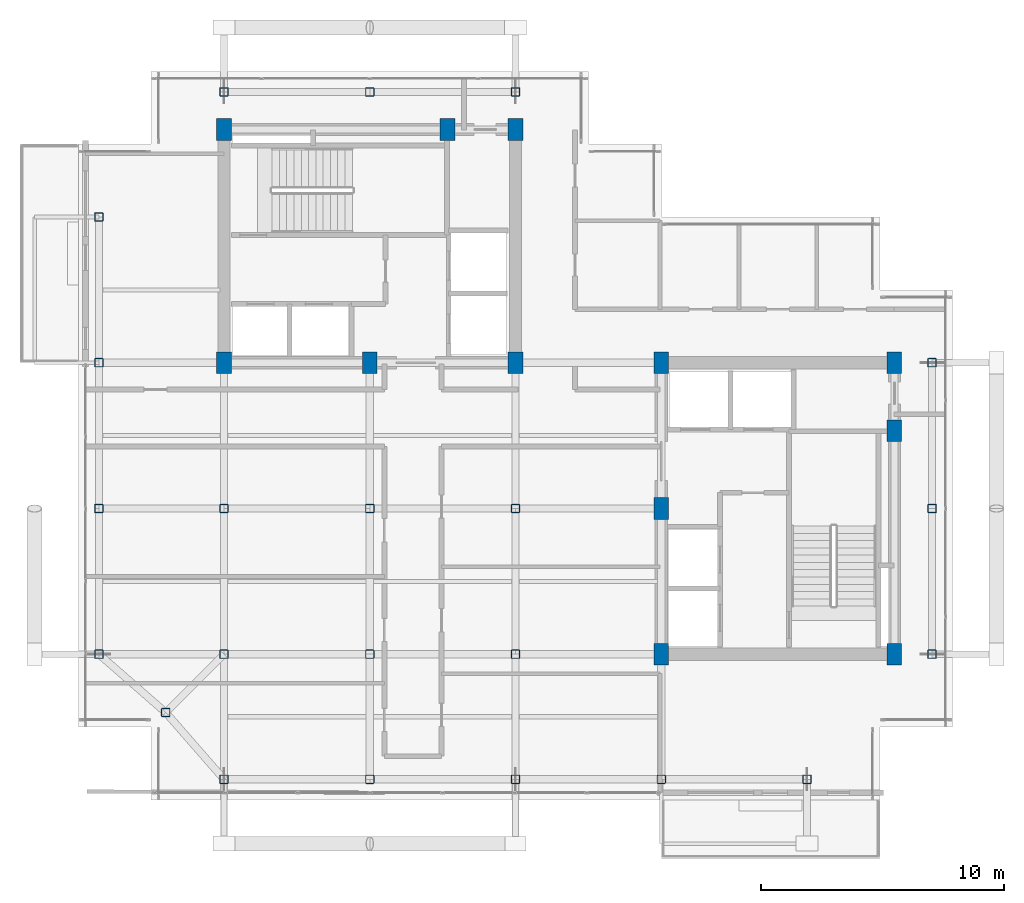
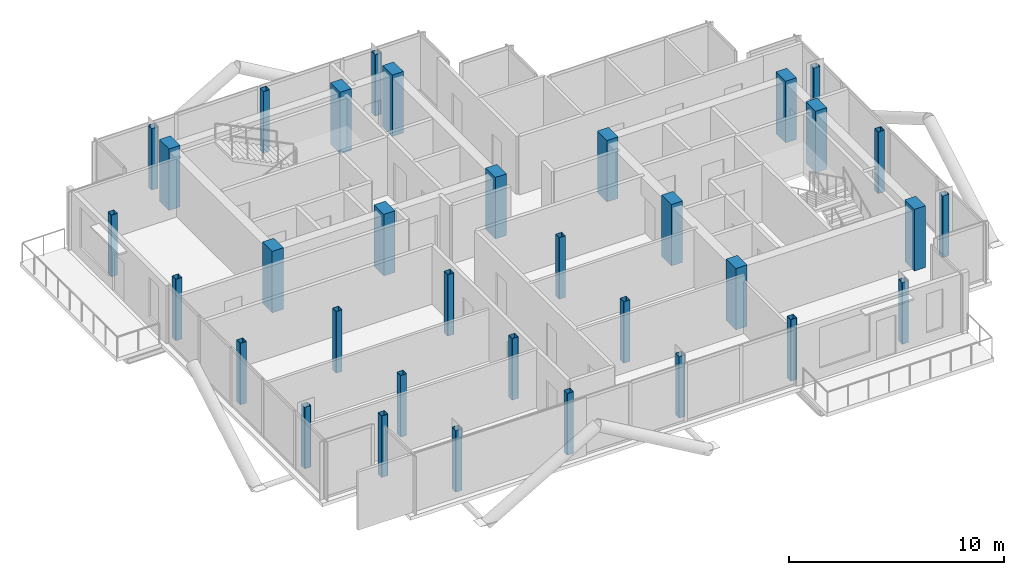
# One storey, part 1 of 19: 34 columns.
"""IFC4 building model written with IfcOpenShell, lengths in metres."""

from ifc_helpers import new_model, si_unit, direction, frame, origin, origin_2d, place, context, subcontext, project, spatial, rectangle, hollow_rectangle, extrude, material, material_profile, profile_set, type_object, element, save


model = new_model("IFC4")

# Units and contexts
model_context = context("Model", 3, precision=1e-05, world=origin(), true_north=direction((0.0, 1.0)))
body_context = subcontext(model_context, "Body", "Model", "MODEL_VIEW")
ifc_project = project(units=[si_unit("LENGTHUNIT", "METRE"), si_unit("AREAUNIT", "SQUARE_METRE"), si_unit("VOLUMEUNIT", "CUBIC_METRE"), si_unit("PLANEANGLEUNIT", "RADIAN"), si_unit("MASSUNIT", "GRAM", prefix="KILO"), si_unit("THERMODYNAMICTEMPERATUREUNIT", "KELVIN"), si_unit("POWERUNIT", "WATT")], contexts=[model_context])

# Site, building, storey
site_placement = place(None, origin())
site = spatial("IfcSite", under=ifc_project, at=site_placement, CompositionType="ELEMENT")
building_placement = place(site_placement, origin())
building = spatial("IfcBuilding", under=site, at=building_placement, Name="Svarakhadi Broadcast Tower", CompositionType="ELEMENT")
storey_placement = place(building_placement, frame((0.0, 0.0, 271.199951171875)))
storey = spatial("IfcBuildingStorey", under=building, at=storey_placement, Name="L68", CompositionType="ELEMENT", Elevation=271.199951171875)

# Columns
ifc_material_1 = material(Name="Concrete C50/60 (IS 456 M60)", Category="concrete")
ifc_material_profile_1 = material_profile(ifc_material_1, rectangle(XDim=0.60009765625, YDim=0.89990234375, at=origin_2d()), Name="RC 600x900")
ifc_profile_set_1 = profile_set([ifc_material_profile_1], Name="Concrete C50/60 (IS 456 M60)")
column_type_1 = type_object("IfcColumnType", Name="Col_RC600", PredefinedType="COLUMN", material=ifc_profile_set_1)
for number, where, z_axis, x_axis, name in (
    (1, (6.0, 18.0, 0.0), (0.0, 0.0, 1.0), (1.0, 0.0, 0.0), "L68 Column CW1"),
    (2, (12.0, 18.0, 0.0), (0.0, 0.0, 1.0), (1.0, 0.0, 0.0), "L68 Column CW2"),
    (3, (18.0, 18.0, 0.0), (0.0, 0.0, 1.0), (1.0, 0.0, 0.0), "L68 Column CW3"),
    (4, (6.0, 27.60009765625, 0.0), (0.0, 0.0, 1.0), (1.0, 0.0, 0.0), "L68 Column CW4"),
    (5, (15.199951171875, 27.60009765625, 0.0), (0.0, 0.0, 1.0), (1.0, 0.0, 0.0), "L68 Column CW5"),
    (6, (18.0, 27.60009765625, 0.0), (0.0, 0.0, 1.0), (1.0, 0.0, 0.0), "L68 Column CW6"),
    (7, (24.0, 6.0, 0.0), (0.0, 0.0, 1.0), (1.0, 0.0, 0.0), "L68 Column CE1"),
    (8, (24.0, 12.0, 0.0), (0.0, 0.0, 1.0), (1.0, 0.0, 0.0), "L68 Column CE2"),
    (9, (24.0, 18.0, 0.0), (0.0, 0.0, 1.0), (1.0, 0.0, 0.0), "L68 Column CE3"),
    (10, (33.60009765625, 6.0, 0.0), (0.0, 0.0, 1.0), (1.0, 0.0, 0.0), "L68 Column CE4"),
    (11, (33.60009765625, 15.199951171875, 0.0), (0.0, 0.0, 1.0), (1.0, 0.0, 0.0), "L68 Column CE5"),
    (12, (33.60009765625, 18.0, 0.0), (0.0, 0.0, 1.0), (1.0, 0.0, 0.0), "L68 Column CE6"),
):
    element("IfcColumn", number, at=place(storey_placement, frame(where, z_axis=z_axis, x_axis=x_axis)), inside=storey, type_object=column_type_1, Name=name, PredefinedType="COLUMN", context=body_context, shape_type="SweptSolid", body=[
        extrude(rectangle(XDim=0.60009765625, YDim=0.89990234375, at=origin_2d()), origin(), (0.0, 0.0, 1.0), 3.5),
    ])
ifc_material_2 = material(Name="Steel S460ML (IS 2062 E450BR)", Category="steel")
ifc_material_profile_2 = material_profile(ifc_material_2, hollow_rectangle(XDim=0.35009765625, YDim=0.35009765625, WallThickness=0.01611328125, InnerFilletRadius=0.01611328125, OuterFilletRadius=0.031982421875, at=origin_2d()), Name="SHS 350x350x16")
ifc_profile_set_2 = profile_set([ifc_material_profile_2], Name="Steel S460ML (IS 2062 E450BR)")
column_type_2 = type_object("IfcColumnType", Name="Col_SHS350", PredefinedType="COLUMN", material=ifc_profile_set_2)
for number, where, z_axis, x_axis, name in (
    (13, (3.60009765625, 3.60009765625, 0.0), (0.0, 0.0, 1.0), (1.0, 0.0, 0.0), "L68 Column G01"),
    (14, (0.85009765625, 6.0, 0.0), (0.0, 0.0, 1.0), (1.0, 0.0, 0.0), "L68 Column G03"),
    (15, (0.85009765625, 12.0, 0.0), (0.0, 0.0, 1.0), (1.0, 0.0, 0.0), "L68 Column G04"),
    (16, (0.85009765625, 18.0, 0.0), (0.0, 0.0, 1.0), (1.0, 0.0, 0.0), "L68 Column G05"),
    (17, (0.85009765625, 24.0, 0.0), (0.0, 0.0, 1.0), (1.0, 0.0, 0.0), "L68 Column G06"),
    (18, (6.0, 0.85009765625, 0.0), (0.0, 0.0, 1.0), (1.0, 0.0, 0.0), "L68 Column G11"),
    (19, (6.0, 6.0, 0.0), (0.0, 0.0, 1.0), (1.0, 0.0, 0.0), "L68 Column G12"),
    (20, (6.0, 12.0, 0.0), (0.0, 0.0, 1.0), (1.0, 0.0, 0.0), "L68 Column G13"),
    (21, (6.0, 29.14990234375, 0.0), (0.0, 0.0, 1.0), (1.0, 0.0, 0.0), "L68 Column G14"),
    (22, (12.0, 0.85009765625, 0.0), (0.0, 0.0, 1.0), (1.0, 0.0, 0.0), "L68 Column G18"),
    (23, (12.0, 6.0, 0.0), (0.0, 0.0, 1.0), (1.0, 0.0, 0.0), "L68 Column G19"),
    (24, (12.0, 12.0, 0.0), (0.0, 0.0, 1.0), (1.0, 0.0, 0.0), "L68 Column G20"),
    (25, (12.0, 29.14990234375, 0.0), (0.0, 0.0, 1.0), (1.0, 0.0, 0.0), "L68 Column G21"),
    (26, (18.0, 0.85009765625, 0.0), (0.0, 0.0, 1.0), (1.0, 0.0, 0.0), "L68 Column G25"),
    (27, (18.0, 6.0, 0.0), (0.0, 0.0, 1.0), (1.0, 0.0, 0.0), "L68 Column G26"),
    (28, (18.0, 12.0, 0.0), (0.0, 0.0, 1.0), (1.0, 0.0, 0.0), "L68 Column G27"),
    (29, (18.0, 29.14990234375, 0.0), (0.0, 0.0, 1.0), (1.0, 0.0, 0.0), "L68 Column G28"),
    (30, (24.0, 0.85009765625, 0.0), (0.0, 0.0, 1.0), (1.0, 0.0, 0.0), "L68 Column G32"),
    (31, (30.0, 0.85009765625, 0.0), (0.0, 0.0, 1.0), (1.0, 0.0, 0.0), "L68 Column G36"),
    (32, (35.14990234375, 6.0, 0.0), (0.0, 0.0, 1.0), (1.0, 0.0, 0.0), "L68 Column G39"),
    (33, (35.14990234375, 12.0, 0.0), (0.0, 0.0, 1.0), (1.0, 0.0, 0.0), "L68 Column G40"),
    (34, (35.14990234375, 18.0, 0.0), (0.0, 0.0, 1.0), (1.0, 0.0, 0.0), "L68 Column G41"),
):
    element("IfcColumn", number, at=place(storey_placement, frame(where, z_axis=z_axis, x_axis=x_axis)), inside=storey, type_object=column_type_2, Name=name, PredefinedType="COLUMN", context=body_context, shape_type="SweptSolid", body=[
        extrude(hollow_rectangle(XDim=0.35009765625, YDim=0.35009765625, WallThickness=0.01611328125, InnerFilletRadius=0.01611328125, OuterFilletRadius=0.031982421875, at=origin_2d()), origin(), (0.0, 0.0, 1.0), 3.5),
    ])

save(model, "model.ifc")
